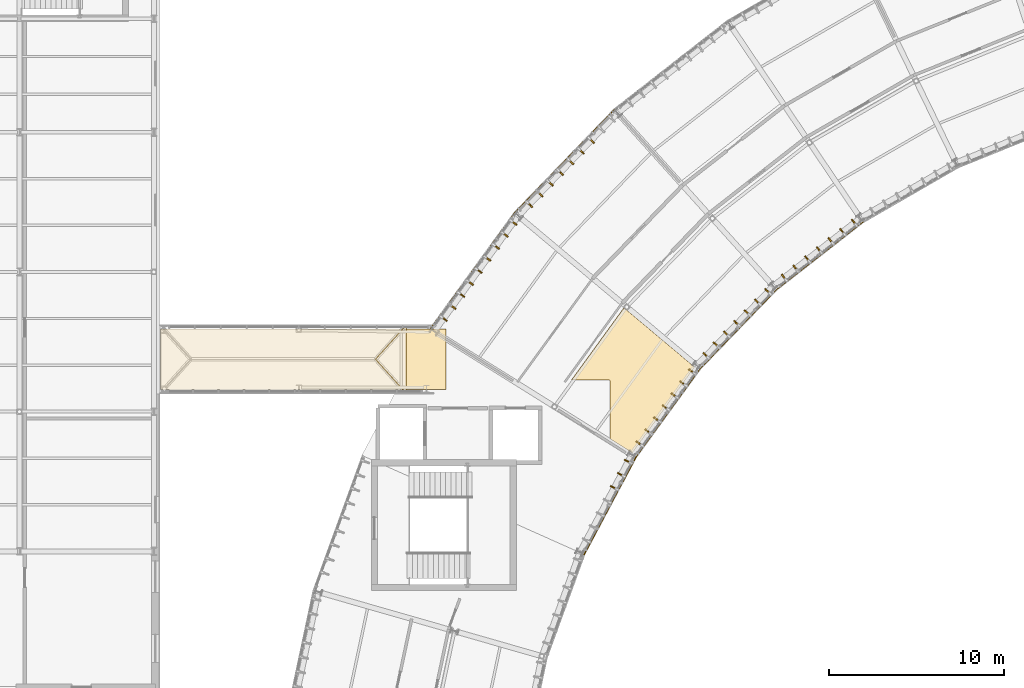
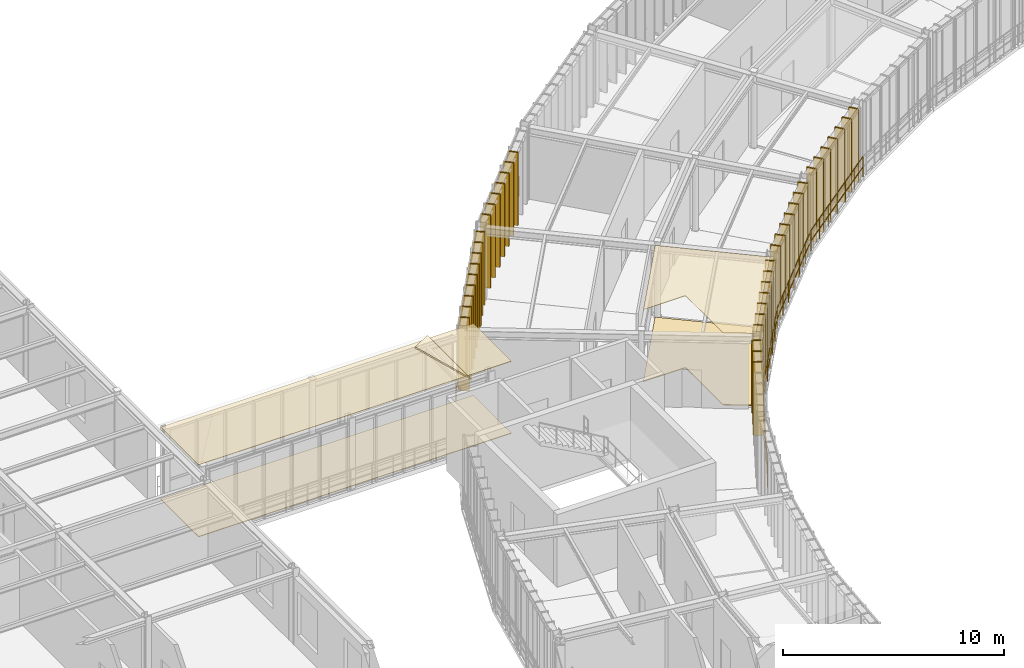
# One storey, part 49 of 52: 45 coverings, 6 railings.
"""IFC4 building model written with IfcOpenShell, lengths in metres."""

import ifcopenshell
import ifcopenshell.guid

model = None  # the IFC model being written
_history = None  # IfcOwnerHistory: only IFC2X3 demands one
_inside = {}  # id of a spatial element -> (the spatial element, [elements in it])
_under = {}  # id of a project, library or spatial element -> (it, [spatial elements below it])
_declared = {}  # id of a project -> (the project, [libraries it declares])
_typed = {}  # id of a type object -> (the type object, [elements of that type])
_made_of = {}  # id of a material, layer set ... -> (it, [elements and type objects made of it])


def new_model(schema):
    """Start an empty IFC model of exactly this schema.

    Asked for "IFC4X3", IfcOpenShell would pick the latest addendum, in which some entities
    have other attributes; the version numbers below select the first issue.
    IFC2X3 requires an IfcOwnerHistory on every rooted entity: one is made here for all.
    """
    global model, _history
    if schema == "IFC4X3":
        model = ifcopenshell.file(schema_version=(4, 3, 0, 0))
    else:
        model = ifcopenshell.file(schema=schema)
    _inside.clear()
    _under.clear()
    _declared.clear()
    _typed.clear()
    _made_of.clear()
    _history = None
    if model.schema == "IFC2X3":
        org = make("IfcOrganization", Name="unknown")
        user = make(
            "IfcPersonAndOrganization",
            ThePerson=make("IfcPerson", FamilyName="unknown"),
            TheOrganization=org,
        )
        app = make(
            "IfcApplication",
            ApplicationDeveloper=org,
            Version="unknown",
            ApplicationFullName="unknown",
            ApplicationIdentifier="unknown",
        )
        _history = make(
            "IfcOwnerHistory",
            OwningUser=user,
            OwningApplication=app,
            ChangeAction="ADDED",
            CreationDate=0,
        )
    return model


def make(cls, **values):
    """One entity of the class cls with the attributes given. An attribute that is None is left unset."""
    return model.create_entity(
        cls, **{name: value for name, value in values.items() if value is not None}
    )


def rooted(cls, **values):
    """An entity with a GlobalId (a new one), such as an element, a storey or a relation."""
    return make(cls, GlobalId=ifcopenshell.guid.new(), OwnerHistory=_history, **values)


def si_unit(unit_type, name, prefix=None):
    """IfcSIUnit, for example si_unit("LENGTHUNIT", "METRE", prefix="MILLI")."""
    return make("IfcSIUnit", UnitType=unit_type, Prefix=prefix, Name=name)


def assignment(units):
    """IfcUnitAssignment: the units of a project."""
    return None if units is None else make("IfcUnitAssignment", Units=units)


def point(xyz):
    """IfcCartesianPoint."""
    return None if xyz is None else make("IfcCartesianPoint", Coordinates=xyz)


def direction(xyz):
    """IfcDirection."""
    return None if xyz is None else make("IfcDirection", DirectionRatios=xyz)


def frame(location, z_axis=None, x_axis=None):
    """IfcAxis2Placement3D, a coordinate frame: its origin and axes. An axis left out is left unset."""
    return make(
        "IfcAxis2Placement3D",
        Location=point(location),
        Axis=direction(z_axis),
        RefDirection=direction(x_axis),
    )


def frame_2d(location, x_axis=None):
    """IfcAxis2Placement2D, a coordinate frame in the plane: its origin and x axis."""
    return make(
        "IfcAxis2Placement2D", Location=point(location), RefDirection=direction(x_axis)
    )


def origin():
    """The frame at (0, 0, 0) with its axes left unset."""
    return frame((0.0, 0.0, 0.0))


def origin_2d():
    """The frame at (0, 0) in the plane with its x axis left unset."""
    return frame_2d((0.0, 0.0))


def place(relative_to, where):
    """IfcLocalPlacement: puts the frame where relative to a parent placement (None: the world)."""
    return make(
        "IfcLocalPlacement", PlacementRelTo=relative_to, RelativePlacement=where
    )


def context(
    kind, dimensions, precision=None, world=None, true_north=None, identifier=None
):
    """IfcGeometricRepresentationContext, for example the 3D "Model" context."""
    return make(
        "IfcGeometricRepresentationContext",
        ContextIdentifier=identifier,
        ContextType=kind,
        CoordinateSpaceDimension=dimensions,
        Precision=precision,
        WorldCoordinateSystem=world,
        TrueNorth=true_north,
    )


def subcontext(parent, identifier, kind, view, scale=None):
    """IfcGeometricRepresentationSubContext, for example "Body" below "Model"."""
    return make(
        "IfcGeometricRepresentationSubContext",
        ContextIdentifier=identifier,
        ContextType=kind,
        ParentContext=parent,
        TargetScale=scale,
        TargetView=view,
    )


def project(units=None, contexts=None):
    """IfcProject with its units and contexts."""
    return rooted(
        "IfcProject",
        Name="project",
        RepresentationContexts=contexts,
        UnitsInContext=assignment(units),
    )


def spatial(cls, under=None, at=None, **own):
    """A site, building, storey or space (cls), placed at a placement, below another one or the project."""
    s = rooted(cls, ObjectPlacement=at, **own)
    if under is not None:
        _under.setdefault(under.id(), (under, []))[1].append(s)
    return s


def polyline(points):
    """IfcPolyline through the points."""
    return make("IfcPolyline", Points=[point(p) for p in points])


def profile(cls, at=None, kind="AREA", **sizes):
    """A parametric profile (cls). Its sizes go by their IFC names, for example OverallWidth=200.0."""
    return make(cls, ProfileType=kind, Position=at, **sizes)


def rectangle(**sizes):
    """IfcRectangleProfileDef."""
    return profile("IfcRectangleProfileDef", **sizes)


def circle(**sizes):
    """IfcCircleProfileDef."""
    return profile("IfcCircleProfileDef", **sizes)


def outline(outer, holes=None, kind="AREA"):
    """IfcArbitraryClosedProfileDef: a profile drawn as a closed curve; with holes, ...WithVoids."""
    if holes is None:
        return make("IfcArbitraryClosedProfileDef", ProfileType=kind, OuterCurve=outer)
    return make(
        "IfcArbitraryProfileDefWithVoids",
        ProfileType=kind,
        OuterCurve=outer,
        InnerCurves=holes,
    )


def extrude(swept, where, along, depth):
    """IfcExtrudedAreaSolid: the profile swept, set in the frame where, extruded along a direction by depth."""
    return make(
        "IfcExtrudedAreaSolid",
        SweptArea=swept,
        Position=where,
        ExtrudedDirection=direction(along),
        Depth=depth,
    )


def shape(context_of_items, identifier, shape_type, items):
    """IfcShapeRepresentation: the items that make up one representation, for example the "Body"."""
    return make(
        "IfcShapeRepresentation",
        ContextOfItems=context_of_items,
        RepresentationIdentifier=identifier,
        RepresentationType=shape_type,
        Items=items,
    )


def material(Name=None, Category=None):
    """IfcMaterial."""
    return make("IfcMaterial", Name=Name, Category=Category)


def layer(
    of_material, thickness, ventilated=None, Name=None, Category=None, Priority=None
):
    """IfcMaterialLayer: one layer of a wall or slab, of a material (None: an air gap)."""
    return make(
        "IfcMaterialLayer",
        Material=of_material,
        LayerThickness=thickness,
        IsVentilated=ventilated,
        Name=Name,
        Category=Category,
        Priority=Priority,
    )


def layer_set(layers, Name=None):
    """IfcMaterialLayerSet."""
    return make("IfcMaterialLayerSet", MaterialLayers=layers, LayerSetName=Name)


def made_of(thing, what):
    """Note that an element or type object is made of a material, layer set ...; save() writes the relation."""
    if what is not None:
        _made_of.setdefault(what.id(), (what, []))[1].append(thing)
    return thing


def type_object(cls, material=None, **own):
    """A type object (cls), such as IfcWallType, which elements share."""
    return made_of(rooted(cls, **own), material)


def element(
    cls,
    number,
    at=None,
    inside=None,
    cuts=None,
    type_object=None,
    material=None,
    context=None,
    identifier="Body",
    shape_type=None,
    held_by="IfcProductDefinitionShape",
    body=None,
    shapes=None,
    **own,
):
    """One element of the class cls, such as IfcWall. Its Tag is "e" and its number.

    at: its placement. inside: the storey or other place that contains it. cuts: it is an
    opening in that element (IfcRelVoidsElement). A single representation is given by context,
    identifier, shape_type and body (its items); several are given by shapes. held_by: the class
    of the entity that holds the representations. save() writes the other relations.
    """
    e = rooted(cls, Tag="e%d" % number, ObjectPlacement=at, **own)
    if body is not None:
        shapes = [shape(context, identifier, shape_type, body)]
    if shapes is not None:
        e.Representation = make(held_by, Representations=shapes)
    if inside is not None:
        _inside.setdefault(inside.id(), (inside, []))[1].append(e)
    if cuts is not None:
        rooted(
            "IfcRelVoidsElement", RelatingBuildingElement=cuts, RelatedOpeningElement=e
        )
    if type_object is not None:
        _typed.setdefault(type_object.id(), (type_object, []))[1].append(e)
    return made_of(e, material)


def aggregate(whole, parts):
    """IfcRelAggregates: a whole, such as a stair, and the parts it consists of."""
    return rooted("IfcRelAggregates", RelatingObject=whole, RelatedObjects=parts)


def save(model, path):
    """Write the relations noted so far, then the file.

    IfcRelAggregates (storeys below a building ...), IfcRelContainedInSpatialStructure (elements
    in a storey), IfcRelDefinesByType, IfcRelAssociatesMaterial and IfcRelDeclares: one each for
    every whole, place, type object, material and project.
    """
    for whole, parts in _under.values():
        aggregate(whole, parts)
    for where, things in _inside.values():
        rooted(
            "IfcRelContainedInSpatialStructure",
            RelatedElements=things,
            RelatingStructure=where,
        )
    for kind, things in _typed.values():
        rooted("IfcRelDefinesByType", RelatedObjects=things, RelatingType=kind)
    for what, things in _made_of.values():
        rooted("IfcRelAssociatesMaterial", RelatedObjects=things, RelatingMaterial=what)
    for by, libraries in _declared.values():
        rooted("IfcRelDeclares", RelatingContext=by, RelatedDefinitions=libraries)
    model.write(path)


model = new_model("IFC4")

# Units and contexts
model_context = context("Model", 3, precision=1e-05, world=origin(), true_north=direction((0.0, 1.0)))
body_context = subcontext(model_context, "Body", "Model", "MODEL_VIEW")
ifc_project = project(units=[si_unit("LENGTHUNIT", "METRE"), si_unit("AREAUNIT", "SQUARE_METRE"), si_unit("VOLUMEUNIT", "CUBIC_METRE"), si_unit("PLANEANGLEUNIT", "RADIAN"), si_unit("MASSUNIT", "GRAM", prefix="KILO"), si_unit("THERMODYNAMICTEMPERATUREUNIT", "KELVIN"), si_unit("POWERUNIT", "WATT")], contexts=[model_context])

# Site, building, storey
site_placement = place(None, origin())
site = spatial("IfcSite", under=ifc_project, at=site_placement, CompositionType="ELEMENT")
building_placement = place(site_placement, origin())
building = spatial("IfcBuilding", under=site, at=building_placement, Name="Solvatero Civic Police Headquarters", CompositionType="ELEMENT")
storey_placement = place(building_placement, frame((0.0, 0.0, 13.5)))
storey = spatial("IfcBuildingStorey", under=building, at=storey_placement, Name="L03", CompositionType="ELEMENT", Elevation=13.5)

# Coverings
ifc_material_1 = material(Name="Mineral-Fibre Acoustic Tile", Category="gypsum")
ifc_layer_1 = layer(ifc_material_1, 0.02490234375)
ifc_layer_set_1 = layer_set([ifc_layer_1], Name="Mineral-Fibre Acoustic Tile")
covering_type_1 = type_object("IfcCoveringType", Name="COV-CEIL-AC", PredefinedType="CEILING", material=ifc_layer_set_1)
covering_1_placement = place(storey_placement, frame((0.0, 0.0, 3.97509765625)))
element("IfcCovering", 1, at=covering_1_placement, inside=storey, type_object=covering_type_1, Name="Acoustic Ceiling Upper South Courtyard Glazed Skybridge L03", PredefinedType="CEILING", context=body_context, shape_type="SweptSolid", body=[
    extrude(outline(polyline([(28.580078125, 53.780029296875), (28.580078125, 57.219970703125), (44.919921875, 57.219970703125), (44.919921875, 53.780029296875), (28.580078125, 53.780029296875)])), origin(), (0.0, 0.0, 1.0), 0.02490234375),
])
covering_2_placement = place(storey_placement, frame((0.0, 0.0, 3.97509765625)))
element("IfcCovering", 2, at=covering_2_placement, inside=storey, type_object=covering_type_1, Name="Acoustic Ceiling Cybercrime Financial Tracing Unit Bay 8", PredefinedType="CEILING", context=body_context, shape_type="SweptSolid", body=[
    extrude(outline(polyline([(55.110107421875, 58.449951171875), (59.161865234375, 55.0498046875), (55.594482421875, 50.139892578125), (54.320068359375, 50.936279296875), (54.320068359375, 54.239990234375), (54.319580078125, 54.247802734375), (54.318603515625, 54.255615234375), (54.316650390625, 54.26318359375), (54.31396484375, 54.2705078125), (54.310546875, 54.277587890625), (54.306396484375, 54.284423828125), (54.3017578125, 54.290771484375), (54.296630859375, 54.296630859375), (54.290771484375, 54.3017578125), (54.284423828125, 54.306396484375), (54.277587890625, 54.310546875), (54.2705078125, 54.31396484375), (54.26318359375, 54.316650390625), (54.255615234375, 54.318603515625), (54.247802734375, 54.319580078125), (54.239990234375, 54.320068359375), (52.109375, 54.320068359375), (55.110107421875, 58.449951171875)])), origin(), (0.0, 0.0, 1.0), 0.02490234375),
])
ifc_material_2 = material(Name="Anodized Bronze Aluminium", Category="aluminium")
ifc_layer_2 = layer(ifc_material_2, 0.080078125)
ifc_layer_set_2 = layer_set([ifc_layer_2], Name="Anodized Bronze Aluminium")
covering_type_2 = type_object("IfcCoveringType", Name="COV-FIN-480", PredefinedType="CLADDING", material=ifc_layer_set_2)
for number, where, z_axis, x_axis, name in (
    (3, (68.305908203125, 63.310791015625, -0.02001953125), (0.0, 0.0, 1.0), (-0.788010753607, -0.615661475326, 0.0), "Vertical Brise-Soleil Fin 0656"),
    (4, (67.635986328125, 62.787353515625, -0.02001953125), (0.0, 0.0, 1.0), (-0.788010753607, -0.615661475326, 0.0), "Vertical Brise-Soleil Fin 0657"),
    (5, (66.96630859375, 62.26416015625, -0.02001953125), (0.0, 0.0, 1.0), (-0.788010753607, -0.615661475326, 0.0), "Vertical Brise-Soleil Fin 0658"),
    (6, (66.29638671875, 61.74072265625, -0.02001953125), (0.0, 0.0, 1.0), (-0.788010753607, -0.615661475326, 0.0), "Vertical Brise-Soleil Fin 0659"),
    (7, (65.626708984375, 61.217529296875, -0.02001953125), (0.0, 0.0, 1.0), (-0.788010753607, -0.615661475326, 0.0), "Vertical Brise-Soleil Fin 0660"),
    (8, (64.956787109375, 60.694091796875, -0.02001953125), (0.0, 0.0, 1.0), (-0.788010753607, -0.615661475326, 0.0), "Vertical Brise-Soleil Fin 0661"),
    (9, (64.287109375, 60.1708984375, -0.02001953125), (0.0, 0.0, 1.0), (-0.788010753607, -0.615661475326, 0.0), "Vertical Brise-Soleil Fin 0662"),
    (10, (53.237548828125, 68.04150390625, -0.02001953125), (0.0, 0.0, 1.0), (-0.694645815505, -0.719351924305, 0.0), "Vertical Brise-Soleil Fin 0665"),
    (11, (52.647216796875, 67.43017578125, -0.02001953125), (0.0, 0.0, 1.0), (-0.694645815505, -0.719351924305, 0.0), "Vertical Brise-Soleil Fin 0666"),
    (12, (52.056640625, 66.818603515625, -0.02001953125), (0.0, 0.0, 1.0), (-0.694645815505, -0.719351924305, 0.0), "Vertical Brise-Soleil Fin 0667"),
    (13, (51.466064453125, 66.207275390625, -0.02001953125), (0.0, 0.0, 1.0), (-0.694645815505, -0.719351924305, 0.0), "Vertical Brise-Soleil Fin 0668"),
    (14, (50.875732421875, 65.595703125, -0.02001953125), (0.0, 0.0, 1.0), (-0.694645815505, -0.719351924305, 0.0), "Vertical Brise-Soleil Fin 0669"),
    (15, (50.28515625, 64.984375, -0.02001953125), (0.0, 0.0, 1.0), (-0.694645815505, -0.719351924305, 0.0), "Vertical Brise-Soleil Fin 0670"),
    (16, (49.69482421875, 64.372802734375, -0.02001953125), (0.0, 0.0, 1.0), (-0.694645815505, -0.719351924305, 0.0), "Vertical Brise-Soleil Fin 0671"),
    (17, (63.36328125, 59.37158203125, -0.02001953125), (0.0, 0.0, 1.0), (-0.694658370459, -0.719339800339, 0.0), "Vertical Brise-Soleil Fin 0672"),
    (18, (62.772705078125, 58.76025390625, -0.02001953125), (0.0, 0.0, 1.0), (-0.694658370459, -0.719339800339, 0.0), "Vertical Brise-Soleil Fin 0673"),
    (19, (62.182373046875, 58.148681640625, -0.02001953125), (0.0, 0.0, 1.0), (-0.694658370459, -0.719339800339, 0.0), "Vertical Brise-Soleil Fin 0674"),
    (20, (61.591796875, 57.537353515625, -0.02001953125), (0.0, 0.0, 1.0), (-0.694658370459, -0.719339800339, 0.0), "Vertical Brise-Soleil Fin 0675"),
    (21, (61.00146484375, 56.92578125, -0.02001953125), (0.0, 0.0, 1.0), (-0.694658370459, -0.719339800339, 0.0), "Vertical Brise-Soleil Fin 0676"),
    (22, (60.410888671875, 56.314453125, -0.02001953125), (0.0, 0.0, 1.0), (-0.694658370459, -0.719339800339, 0.0), "Vertical Brise-Soleil Fin 0677"),
    (23, (59.820556640625, 55.702880859375, -0.02001953125), (0.0, 0.0, 1.0), (-0.694658370459, -0.719339800339, 0.0), "Vertical Brise-Soleil Fin 0678"),
    (24, (48.782470703125, 63.334716796875, -0.02001953125), (0.0, 0.0, 1.0), (-0.587785252292, -0.809016994375, 0.0), "Vertical Brise-Soleil Fin 0679"),
    (25, (48.28271484375, 62.647216796875, -0.02001953125), (0.0, 0.0, 1.0), (-0.587785252292, -0.809016994375, 0.0), "Vertical Brise-Soleil Fin 0680"),
    (26, (47.783203125, 61.95947265625, -0.02001953125), (0.0, 0.0, 1.0), (-0.587785252292, -0.809016994375, 0.0), "Vertical Brise-Soleil Fin 0681"),
    (27, (47.28369140625, 61.271728515625, -0.02001953125), (0.0, 0.0, 1.0), (-0.587785252292, -0.809016994375, 0.0), "Vertical Brise-Soleil Fin 0682"),
    (28, (46.783935546875, 60.583984375, -0.02001953125), (0.0, 0.0, 1.0), (-0.587785252292, -0.809016994375, 0.0), "Vertical Brise-Soleil Fin 0683"),
    (29, (46.2841796875, 59.896484375, -0.02001953125), (0.0, 0.0, 1.0), (-0.587785252292, -0.809016994375, 0.0), "Vertical Brise-Soleil Fin 0684"),
    (30, (45.78466796875, 59.208740234375, -0.02001953125), (0.0, 0.0, 1.0), (-0.587785252292, -0.809016994375, 0.0), "Vertical Brise-Soleil Fin 0685"),
    (31, (45.28515625, 58.52099609375, -0.02001953125), (0.0, 0.0, 1.0), (-0.587785252292, -0.809016994375, 0.0), "Vertical Brise-Soleil Fin 0686"),
    (32, (44.785400390625, 57.83349609375, -0.02001953125), (0.0, 0.0, 1.0), (-0.587785252292, -0.809016994375, 0.0), "Vertical Brise-Soleil Fin 0687"),
    (33, (59.016845703125, 54.782958984375, -0.02001953125), (0.0, 0.0, 1.0), (-0.587771132193, -0.80902725304, 0.0), "Vertical Brise-Soleil Fin 0688"),
    (34, (58.517333984375, 54.095458984375, -0.02001953125), (0.0, 0.0, 1.0), (-0.587771132193, -0.80902725304, 0.0), "Vertical Brise-Soleil Fin 0689"),
    (35, (58.017578125, 53.40771484375, -0.02001953125), (0.0, 0.0, 1.0), (-0.587771132193, -0.80902725304, 0.0), "Vertical Brise-Soleil Fin 0690"),
    (36, (57.51806640625, 52.719970703125, -0.02001953125), (0.0, 0.0, 1.0), (-0.587771132193, -0.80902725304, 0.0), "Vertical Brise-Soleil Fin 0691"),
    (37, (57.0185546875, 52.032470703125, -0.02001953125), (0.0, 0.0, 1.0), (-0.587771132193, -0.80902725304, 0.0), "Vertical Brise-Soleil Fin 0692"),
    (38, (56.518798828125, 51.3447265625, -0.02001953125), (0.0, 0.0, 1.0), (-0.587771132193, -0.80902725304, 0.0), "Vertical Brise-Soleil Fin 0693"),
    (39, (56.019287109375, 50.656982421875, -0.02001953125), (0.0, 0.0, 1.0), (-0.587771132193, -0.80902725304, 0.0), "Vertical Brise-Soleil Fin 0694"),
    (40, (55.3515625, 49.634033203125, -0.02001953125), (0.0, 0.0, 1.0), (-0.469486973057, -0.8829393989, 0.0), "Vertical Brise-Soleil Fin 0695"),
    (41, (54.952392578125, 48.883544921875, -0.02001953125), (0.0, 0.0, 1.0), (-0.469486973057, -0.8829393989, 0.0), "Vertical Brise-Soleil Fin 0696"),
    (42, (54.553466796875, 48.133056640625, -0.02001953125), (0.0, 0.0, 1.0), (-0.469486973057, -0.8829393989, 0.0), "Vertical Brise-Soleil Fin 0697"),
):
    element("IfcCovering", number, at=place(storey_placement, frame(where, z_axis=z_axis, x_axis=x_axis)), inside=storey, type_object=covering_type_2, Name=name, PredefinedType="CLADDING", context=body_context, shape_type="SweptSolid", body=[
        extrude(rectangle(XDim=0.080078125, YDim=0.47998046875, at=origin_2d()), origin(), (0.0, 0.0, 1.0), 4.0400390625),
    ])
ifc_material_3 = material(Name="Venetian Terrazzo Stone", Category="masonry")
ifc_layer_3 = layer(ifc_material_3, 0.034912109375)
ifc_layer_set_3 = layer_set([ifc_layer_3], Name="Venetian Terrazzo Stone")
covering_type_3 = type_object("IfcCoveringType", Name="COV-FLR-TER", PredefinedType="FLOORING", material=ifc_layer_set_3)
covering_3_placement = place(storey_placement, origin())
element("IfcCovering", 43, at=covering_3_placement, inside=storey, type_object=covering_type_3, Name="Flooring Upper South Courtyard Glazed Skybridge L03", PredefinedType="FLOORING", context=body_context, shape_type="SweptSolid", body=[
    extrude(outline(polyline([(28.580078125, 53.780029296875), (28.580078125, 57.219970703125), (44.919921875, 57.219970703125), (44.919921875, 53.780029296875), (28.580078125, 53.780029296875)])), origin(), (0.0, 0.0, 1.0), 0.034912109375),
])
covering_4_placement = place(storey_placement, origin())
element("IfcCovering", 44, at=covering_4_placement, inside=storey, type_object=covering_type_3, Name="Flooring Cybercrime Financial Tracing Unit Bay 8", PredefinedType="FLOORING", context=body_context, shape_type="SweptSolid", body=[
    extrude(outline(polyline([(55.110107421875, 58.449951171875), (59.161865234375, 55.0498046875), (55.594482421875, 50.139892578125), (54.320068359375, 50.936279296875), (54.320068359375, 54.239990234375), (54.319580078125, 54.247802734375), (54.318603515625, 54.255615234375), (54.316650390625, 54.26318359375), (54.31396484375, 54.2705078125), (54.310546875, 54.277587890625), (54.306396484375, 54.284423828125), (54.3017578125, 54.290771484375), (54.296630859375, 54.296630859375), (54.290771484375, 54.3017578125), (54.284423828125, 54.306396484375), (54.277587890625, 54.310546875), (54.2705078125, 54.31396484375), (54.26318359375, 54.316650390625), (54.255615234375, 54.318603515625), (54.247802734375, 54.319580078125), (54.239990234375, 54.320068359375), (52.109375, 54.320068359375), (55.110107421875, 58.449951171875)])), origin(), (0.0, 0.0, 1.0), 0.034912109375),
])
ifc_material_4 = material(Name="Lombard Terracotta Clay Tile", Category="masonry")
ifc_layer_4 = layer(ifc_material_4, 0.06005859375)
ifc_layer_set_4 = layer_set([ifc_layer_4], Name="Lombard Terracotta Clay Tile")
covering_type_4 = type_object("IfcCoveringType", Name="COV-RF-TILE", PredefinedType="ROOFING", material=ifc_layer_set_4)
covering_5_placement = place(storey_placement, frame((42.659912109375, 53.5400390625, 3.989990234375), z_axis=(0.551403153833, 0.0, 0.834238911789), x_axis=(0.0, 1.0, 0.0)))
element("IfcCovering", 45, at=covering_5_placement, inside=storey, type_object=covering_type_4, Name="SB1R Lombard Terracotta Hipped Roof Covering E", PredefinedType="ROOFING", context=body_context, shape_type="SweptSolid", body=[
    extrude(outline(polyline([(0.0, 0.0), (3.919921875, 0.0), (1.9599609375, 2.121717779208626), (0.0, 0.0)])), origin(), (0.0, 0.0, -1.0), 0.06005859375),
])

# Railings
ifc_material_5 = material(Name="Anodized Bronze and Laminated Glass", Category="glass")
railing_type = type_object("IfcRailingType", Name="RL-BAL-115", PredefinedType="BALUSTRADE", material=ifc_material_5)
railing_1_placement = place(storey_placement, frame((68.802734375, 63.3564453125, 0.0)))
element("IfcRailing", 46, at=railing_1_placement, inside=storey, type_object=railing_type, Name="Glazed Facade Sill Balustrade RL-L03-ARCIN-B06", PredefinedType="BALUSTRADE", context=body_context, shape_type="SweptSolid", body=[
    extrude(circle(Radius=0.02392578125, at=origin_2d()), frame((0.0, 0.0, 1.1259765625), z_axis=(-0.787997288522, -0.61567870946, 0.0), x_axis=(0.61567870946, -0.787997288522, 0.0)), (0.0, 0.0, 1.0), 6.286376953125),
    extrude(circle(Radius=0.02392578125, at=origin_2d()), frame((0.0, 0.0, 0.55078125), z_axis=(-0.787997288522, -0.61567870946, 0.0), x_axis=(0.61567870946, -0.787997288522, 0.0)), (0.0, 0.0, 1.0), 6.286376953125),
    extrude(circle(Radius=0.02099609375, at=origin_2d()), origin(), (0.0, 0.0, 1.0), 1.101806640625),
    extrude(circle(Radius=0.02099609375, at=origin_2d()), frame((-0.82568359375, -0.64501953125, 0.0)), (0.0, 0.0, 1.0), 1.101806640625),
    extrude(circle(Radius=0.02099609375, at=origin_2d()), frame((-1.651123046875, -1.2900390625, 0.0)), (0.0, 0.0, 1.0), 1.101806640625),
    extrude(circle(Radius=0.02099609375, at=origin_2d()), frame((-2.476806640625, -1.93505859375, 0.0)), (0.0, 0.0, 1.0), 1.101806640625),
    extrude(circle(Radius=0.02099609375, at=origin_2d()), frame((-3.302490234375, -2.580322265625, 0.0)), (0.0, 0.0, 1.0), 1.101806640625),
    extrude(circle(Radius=0.02099609375, at=origin_2d()), frame((-4.1279296875, -3.225341796875, 0.0)), (0.0, 0.0, 1.0), 1.101806640625),
    extrude(circle(Radius=0.02099609375, at=origin_2d()), frame((-4.95361328125, -3.870361328125, 0.0)), (0.0, 0.0, 1.0), 1.101806640625),
])
railing_2_placement = place(storey_placement, frame((63.84912109375, 59.486083984375, 0.0)))
element("IfcRailing", 47, at=railing_2_placement, inside=storey, type_object=railing_type, Name="Glazed Facade Sill Balustrade RL-L03-ARCIN-B07", PredefinedType="BALUSTRADE", context=body_context, shape_type="SweptSolid", body=[
    extrude(circle(Radius=0.02392578125, at=origin_2d()), frame((0.0, 0.0, 1.1259765625), z_axis=(-0.694688764394, -0.719310448016, 0.0), x_axis=(0.719310448016, -0.694688764394, 0.0)), (0.0, 0.0, 1.0), 6.28662109375),
    extrude(circle(Radius=0.02392578125, at=origin_2d()), frame((0.0, 0.0, 0.55078125), z_axis=(-0.694688764394, -0.719310448016, 0.0), x_axis=(0.719310448016, -0.694688764394, 0.0)), (0.0, 0.0, 1.0), 6.28662109375),
    extrude(circle(Radius=0.02099609375, at=origin_2d()), origin(), (0.0, 0.0, 1.0), 1.101806640625),
    extrude(circle(Radius=0.02099609375, at=origin_2d()), frame((-0.727783203125, -0.753662109375, 0.0)), (0.0, 0.0, 1.0), 1.101806640625),
    extrude(circle(Radius=0.02099609375, at=origin_2d()), frame((-1.455810546875, -1.50732421875, 0.0)), (0.0, 0.0, 1.0), 1.101806640625),
    extrude(circle(Radius=0.02099609375, at=origin_2d()), frame((-2.18359375, -2.260986328125, 0.0)), (0.0, 0.0, 1.0), 1.101806640625),
    extrude(circle(Radius=0.02099609375, at=origin_2d()), frame((-2.911376953125, -3.0146484375, 0.0)), (0.0, 0.0, 1.0), 1.101806640625),
    extrude(circle(Radius=0.02099609375, at=origin_2d()), frame((-3.639404296875, -3.768310546875, 0.0)), (0.0, 0.0, 1.0), 1.101806640625),
    extrude(circle(Radius=0.02099609375, at=origin_2d()), frame((-4.3671875, -4.52197265625, 0.0)), (0.0, 0.0, 1.0), 1.101806640625),
])
railing_3_placement = place(storey_placement, frame((54.561279296875, 69.801025390625, 0.0)))
element("IfcRailing", 48, at=railing_3_placement, inside=storey, type_object=railing_type, Name="Glazed Facade Sill Balustrade RL-L03-ARCOUT-B07", PredefinedType="BALUSTRADE", context=body_context, shape_type="SweptSolid", body=[
    extrude(circle(Radius=0.02392578125, at=origin_2d()), frame((0.0, 0.0, 1.1259765625), z_axis=(-0.694647498592, -0.71935029902, 0.0), x_axis=(0.71935029902, -0.694647498592, 0.0)), (0.0, 0.0, 1.0), 8.22265625),
    extrude(circle(Radius=0.02392578125, at=origin_2d()), frame((0.0, 0.0, 0.55078125), z_axis=(-0.694647498592, -0.71935029902, 0.0), x_axis=(0.71935029902, -0.694647498592, 0.0)), (0.0, 0.0, 1.0), 8.22265625),
    extrude(circle(Radius=0.02099609375, at=origin_2d()), origin(), (0.0, 0.0, 1.0), 1.101806640625),
    extrude(circle(Radius=0.02099609375, at=origin_2d()), frame((-0.81591796875, -0.844970703125, 0.0)), (0.0, 0.0, 1.0), 1.101806640625),
    extrude(circle(Radius=0.02099609375, at=origin_2d()), frame((-1.632080078125, -1.68994140625, 0.0)), (0.0, 0.0, 1.0), 1.101806640625),
    extrude(circle(Radius=0.02099609375, at=origin_2d()), frame((-2.447998046875, -2.534912109375, 0.0)), (0.0, 0.0, 1.0), 1.101806640625),
    extrude(circle(Radius=0.02099609375, at=origin_2d()), frame((-3.263916015625, -3.380126953125, 0.0)), (0.0, 0.0, 1.0), 1.101806640625),
    extrude(circle(Radius=0.02099609375, at=origin_2d()), frame((-4.079833984375, -4.22509765625, 0.0)), (0.0, 0.0, 1.0), 1.101806640625),
    extrude(circle(Radius=0.02099609375, at=origin_2d()), frame((-4.89599609375, -5.070068359375, 0.0)), (0.0, 0.0, 1.0), 1.101806640625),
    extrude(circle(Radius=0.02099609375, at=origin_2d()), frame((-5.7119140625, -5.9150390625, 0.0)), (0.0, 0.0, 1.0), 1.101806640625),
])
railing_4_placement = place(storey_placement, frame((59.48193359375, 54.964111328125, 0.0)))
element("IfcRailing", 49, at=railing_4_placement, inside=storey, type_object=railing_type, Name="Glazed Facade Sill Balustrade RL-L03-ARCIN-B08", PredefinedType="BALUSTRADE", context=body_context, shape_type="SweptSolid", body=[
    extrude(circle(Radius=0.02392578125, at=origin_2d()), frame((0.0, 0.0, 1.1259765625), z_axis=(-0.587751344524, -0.809041628725, 0.0), x_axis=(0.809041628725, -0.587751344524, 0.0)), (0.0, 0.0, 1.0), 6.286376953125),
    extrude(circle(Radius=0.02392578125, at=origin_2d()), frame((0.0, 0.0, 0.55078125), z_axis=(-0.587751344524, -0.809041628725, 0.0), x_axis=(0.809041628725, -0.587751344524, 0.0)), (0.0, 0.0, 1.0), 6.286376953125),
    extrude(circle(Radius=0.02099609375, at=origin_2d()), origin(), (0.0, 0.0, 1.0), 1.101806640625),
    extrude(circle(Radius=0.02099609375, at=origin_2d()), frame((-0.61572265625, -0.84765625, 0.0)), (0.0, 0.0, 1.0), 1.101806640625),
    extrude(circle(Radius=0.02099609375, at=origin_2d()), frame((-1.231689453125, -1.6953125, 0.0)), (0.0, 0.0, 1.0), 1.101806640625),
    extrude(circle(Radius=0.02099609375, at=origin_2d()), frame((-1.847412109375, -2.54296875, 0.0)), (0.0, 0.0, 1.0), 1.101806640625),
    extrude(circle(Radius=0.02099609375, at=origin_2d()), frame((-2.463134765625, -3.390625, 0.0)), (0.0, 0.0, 1.0), 1.101806640625),
    extrude(circle(Radius=0.02099609375, at=origin_2d()), frame((-3.0791015625, -4.23828125, 0.0)), (0.0, 0.0, 1.0), 1.101806640625),
    extrude(circle(Radius=0.02099609375, at=origin_2d()), frame((-3.69482421875, -5.0859375, 0.0)), (0.0, 0.0, 1.0), 1.101806640625),
])
railing_5_placement = place(storey_placement, frame((48.849365234375, 63.885986328125, 0.0)))
element("IfcRailing", 50, at=railing_5_placement, inside=storey, type_object=railing_type, Name="Glazed Facade Sill Balustrade RL-L03-ARCOUT-B08", PredefinedType="BALUSTRADE", context=body_context, shape_type="SweptSolid", body=[
    extrude(circle(Radius=0.02392578125, at=origin_2d()), frame((0.0, 0.0, 1.1259765625), z_axis=(-0.587774421673, -0.80902486317, 0.0), x_axis=(0.80902486317, -0.587774421673, 0.0)), (0.0, 0.0, 1.0), 8.222900390625),
    extrude(circle(Radius=0.02392578125, at=origin_2d()), frame((0.0, 0.0, 0.55078125), z_axis=(-0.587774421673, -0.80902486317, 0.0), x_axis=(0.80902486317, -0.587774421673, 0.0)), (0.0, 0.0, 1.0), 8.222900390625),
    extrude(circle(Radius=0.02099609375, at=origin_2d()), origin(), (0.0, 0.0, 1.0), 1.101806640625),
    extrude(circle(Radius=0.02099609375, at=origin_2d()), frame((-0.6904296875, -0.950439453125, 0.0)), (0.0, 0.0, 1.0), 1.101806640625),
    extrude(circle(Radius=0.02099609375, at=origin_2d()), frame((-1.380859375, -1.900634765625, 0.0)), (0.0, 0.0, 1.0), 1.101806640625),
    extrude(circle(Radius=0.02099609375, at=origin_2d()), frame((-2.0712890625, -2.85107421875, 0.0)), (0.0, 0.0, 1.0), 1.101806640625),
    extrude(circle(Radius=0.02099609375, at=origin_2d()), frame((-2.761962890625, -3.801513671875, 0.0)), (0.0, 0.0, 1.0), 1.101806640625),
    extrude(circle(Radius=0.02099609375, at=origin_2d()), frame((-3.452392578125, -4.751953125, 0.0)), (0.0, 0.0, 1.0), 1.101806640625),
    extrude(circle(Radius=0.02099609375, at=origin_2d()), frame((-4.142822265625, -5.7021484375, 0.0)), (0.0, 0.0, 1.0), 1.101806640625),
    extrude(circle(Radius=0.02099609375, at=origin_2d()), frame((-4.833251953125, -6.652587890625, 0.0)), (0.0, 0.0, 1.0), 1.101806640625),
])
railing_6_placement = place(storey_placement, frame((55.787109375, 49.878173828125, 0.0)))
element("IfcRailing", 51, at=railing_6_placement, inside=storey, type_object=railing_type, Name="Glazed Facade Sill Balustrade RL-L03-ARCIN-B09", PredefinedType="BALUSTRADE", context=body_context, shape_type="SweptSolid", body=[
    extrude(circle(Radius=0.02392578125, at=origin_2d()), frame((0.0, 0.0, 1.1259765625), z_axis=(-0.469489306855, -0.882938157941, 0.0), x_axis=(0.882938157941, -0.469489306855, 0.0)), (0.0, 0.0, 1.0), 6.286376953125),
    extrude(circle(Radius=0.02392578125, at=origin_2d()), frame((0.0, 0.0, 0.55078125), z_axis=(-0.469489306855, -0.882938157941, 0.0), x_axis=(0.882938157941, -0.469489306855, 0.0)), (0.0, 0.0, 1.0), 6.286376953125),
    extrude(circle(Radius=0.02099609375, at=origin_2d()), origin(), (0.0, 0.0, 1.0), 1.101806640625),
    extrude(circle(Radius=0.02099609375, at=origin_2d()), frame((-0.491943359375, -0.925048828125, 0.0)), (0.0, 0.0, 1.0), 1.101806640625),
    extrude(circle(Radius=0.02099609375, at=origin_2d()), frame((-0.98388671875, -1.85009765625, 0.0)), (0.0, 0.0, 1.0), 1.101806640625),
    extrude(circle(Radius=0.02099609375, at=origin_2d()), frame((-1.4755859375, -2.775390625, 0.0)), (0.0, 0.0, 1.0), 1.101806640625),
    extrude(circle(Radius=0.02099609375, at=origin_2d()), frame((-1.967529296875, -3.700439453125, 0.0)), (0.0, 0.0, 1.0), 1.101806640625),
    extrude(circle(Radius=0.02099609375, at=origin_2d()), frame((-2.45947265625, -4.62548828125, 0.0)), (0.0, 0.0, 1.0), 1.101806640625),
    extrude(circle(Radius=0.02099609375, at=origin_2d()), frame((-2.951416015625, -5.550537109375, 0.0)), (0.0, 0.0, 1.0), 1.101806640625),
])

save(model, "model.ifc")
